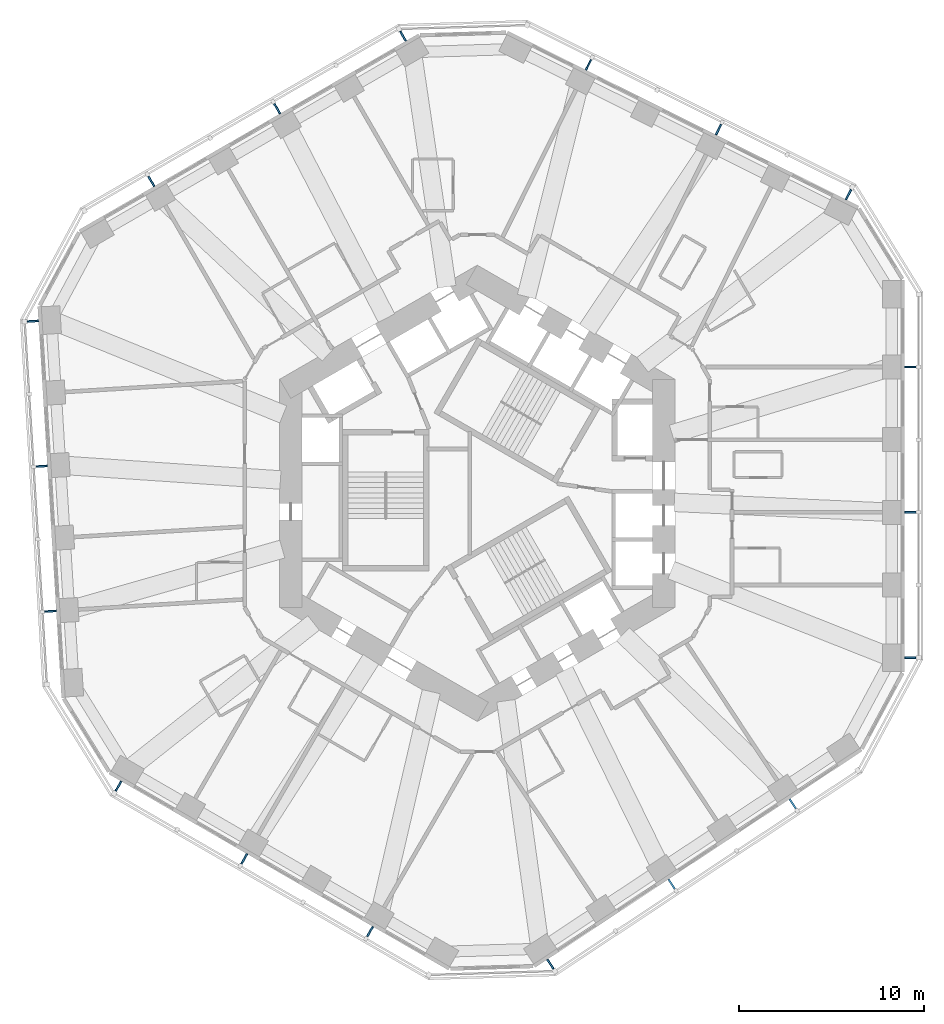
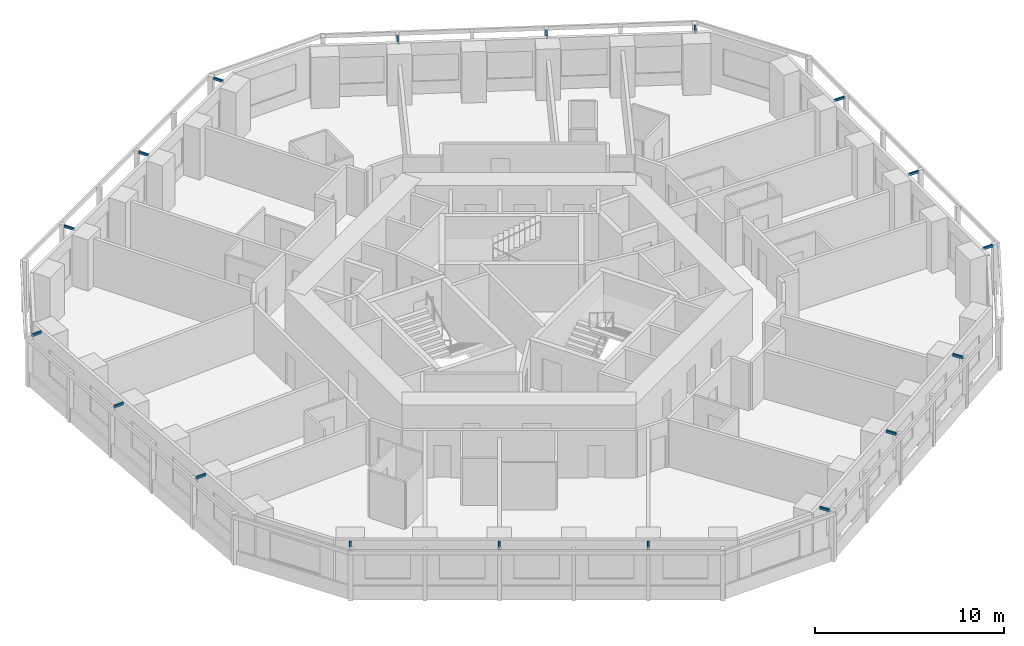
# One storey, part 11 of 12: 18 discrete accessories.
"""IFC4 building model written with IfcOpenShell, lengths in metres."""

from ifc_helpers import new_model, si_unit, direction, frame, origin, origin_2d, place, context, subcontext, project, spatial, rectangle, extrude, material, type_object, element, save


model = new_model("IFC4")

# Units and contexts
model_context = context("Model", 3, precision=1e-05, world=origin(), true_north=direction((0.0, 1.0)))
body_context = subcontext(model_context, "Body", "Model", "MODEL_VIEW")
ifc_project = project(units=[si_unit("LENGTHUNIT", "METRE"), si_unit("AREAUNIT", "SQUARE_METRE"), si_unit("VOLUMEUNIT", "CUBIC_METRE"), si_unit("PLANEANGLEUNIT", "RADIAN"), si_unit("MASSUNIT", "GRAM", prefix="KILO")], contexts=[model_context])

# Site, building, storey
site_placement = place(None, origin())
site = spatial("IfcSite", under=ifc_project, at=site_placement, CompositionType="ELEMENT")
building_placement = place(site_placement, origin())
building = spatial("IfcBuilding", under=site, at=building_placement, Name="Vanh Sen Convention Tower", CompositionType="ELEMENT")
storey_placement = place(building_placement, frame((0.0, 0.0, 47.300048828125)))
storey = spatial("IfcBuildingStorey", under=building, at=storey_placement, Name="L08", CompositionType="ELEMENT", Elevation=47.300048828125)

# Discrete accessories
ifc_material = material(Name="Steel S355", Category="steel")
discrete_accessory_type = type_object("IfcDiscreteAccessoryType", Name="Fin bracket 100 x 150", PredefinedType="BRACKET", material=ifc_material)
discrete_accessory_1_placement = place(storey_placement, frame((23.449951171875, -8.899169921875, 3.10009765625), z_axis=(0.0, 0.0, 1.0), x_axis=(1.0, 0.0, 0.0)))
element("IfcDiscreteAccessory", 1, at=discrete_accessory_1_placement, inside=storey, type_object=discrete_accessory_type, Name="Fin bracket E-1 L08", PredefinedType="BRACKET", context=body_context, shape_type="SweptSolid", body=[
    extrude(rectangle(XDim=0.60009765625, YDim=0.10009765625, at=origin_2d()), origin(), (0.0, 0.0, 1.0), 0.14990234375),
])
for number, where, z_axis, x_axis, name in (
    (2, (23.46240234375, -1.030029296875, 3.10009765625), (0.0, 0.0, 1.0), (1.0, 0.0, 0.0), "Fin bracket E-3 L08"),
    (3, (23.46240234375, 6.839111328125, 3.10009765625), (0.0, 0.0, 1.0), (1.0, 0.0, 0.0), "Fin bracket E-5 L08"),
):
    element("IfcDiscreteAccessory", number, at=place(storey_placement, frame(where, z_axis=z_axis, x_axis=x_axis)), inside=storey, type_object=discrete_accessory_type, Name=name, PredefinedType="BRACKET", context=body_context, shape_type="SweptSolid", body=[
        extrude(rectangle(XDim=0.625, YDim=0.10009765625, at=origin_2d()), origin(), (0.0, 0.0, 1.0), 0.14990234375),
    ])
discrete_accessory_2_placement = place(storey_placement, frame((20.10498046875, 16.178955078125, 3.10009765625), z_axis=(0.0, 0.0, 1.0), x_axis=(0.44619781311, 0.894934361602, 0.0)))
element("IfcDiscreteAccessory", 4, at=discrete_accessory_2_placement, inside=storey, type_object=discrete_accessory_type, Name="Fin bracket NE-1 L08", PredefinedType="BRACKET", context=body_context, shape_type="SweptSolid", body=[
    extrude(rectangle(XDim=0.60009765625, YDim=0.10009765625, at=origin_2d()), origin(), (0.0, 0.0, 1.0), 0.14990234375),
])
for number, where, z_axis, x_axis, name in (
    (5, (13.068359375, 19.701416015625, 3.10009765625), (0.0, 0.0, 1.0), (0.44619781311, 0.894934361602, 0.0), "Fin bracket NE-3 L08"),
    (6, (6.02587890625, 23.212646484375, 3.10009765625), (0.0, 0.0, 1.0), (0.44619781311, 0.894934361602, 0.0), "Fin bracket NE-5 L08"),
):
    element("IfcDiscreteAccessory", number, at=place(storey_placement, frame(where, z_axis=z_axis, x_axis=x_axis)), inside=storey, type_object=discrete_accessory_type, Name=name, PredefinedType="BRACKET", context=body_context, shape_type="SweptSolid", body=[
        extrude(rectangle(XDim=0.625, YDim=0.10009765625, at=origin_2d()), origin(), (0.0, 0.0, 1.0), 0.14990234375),
    ])
discrete_accessory_3_placement = place(storey_placement, frame((-4.01806640625, 24.7578125, 3.10009765625), z_axis=(0.0, 0.0, 1.0), x_axis=(-0.5, 0.866025403784, 0.0)))
element("IfcDiscreteAccessory", 7, at=discrete_accessory_3_placement, inside=storey, type_object=discrete_accessory_type, Name="Fin bracket NW-1 L08", PredefinedType="BRACKET", context=body_context, shape_type="SweptSolid", body=[
    extrude(rectangle(XDim=0.60009765625, YDim=0.10009765625, at=origin_2d()), origin(), (0.0, 0.0, 1.0), 0.14990234375),
])
for number, where, z_axis, x_axis, name in (
    (8, (-10.839111328125, 20.834228515625, 3.10009765625), (0.0, 0.0, 1.0), (-0.5, 0.866025403784, 0.0), "Fin bracket NW-3 L08"),
    (9, (-17.654296875, 16.899658203125, 3.10009765625), (0.0, 0.0, 1.0), (-0.5, 0.866025403784, 0.0), "Fin bracket NW-5 L08"),
):
    element("IfcDiscreteAccessory", number, at=place(storey_placement, frame(where, z_axis=z_axis, x_axis=x_axis)), inside=storey, type_object=discrete_accessory_type, Name=name, PredefinedType="BRACKET", context=body_context, shape_type="SweptSolid", body=[
        extrude(rectangle(XDim=0.625, YDim=0.10009765625, at=origin_2d()), origin(), (0.0, 0.0, 1.0), 0.14990234375),
    ])
discrete_accessory_4_placement = place(storey_placement, frame((-24.06396484375, 9.322021484375, 3.10009765625), z_axis=(0.0, 0.0, 1.0), x_axis=(-0.998134798422, -0.061048539535, 0.0)))
element("IfcDiscreteAccessory", 10, at=discrete_accessory_4_placement, inside=storey, type_object=discrete_accessory_type, Name="Fin bracket W-1 L08", PredefinedType="BRACKET", context=body_context, shape_type="SweptSolid", body=[
    extrude(rectangle(XDim=0.60009765625, YDim=0.10009765625, at=origin_2d()), origin(), (0.0, 0.0, 1.0), 0.14990234375),
])
for number, where, z_axis, x_axis, name in (
    (11, (-23.595947265625, 1.466796875, 3.10009765625), (0.0, 0.0, 1.0), (-0.998134798422, -0.061048539535, 0.0), "Fin bracket W-3 L08"),
    (12, (-23.115478515625, -6.3876953125, 3.10009765625), (0.0, 0.0, 1.0), (-0.998134798422, -0.061048539535, 0.0), "Fin bracket W-5 L08"),
):
    element("IfcDiscreteAccessory", number, at=place(storey_placement, frame(where, z_axis=z_axis, x_axis=x_axis)), inside=storey, type_object=discrete_accessory_type, Name=name, PredefinedType="BRACKET", context=body_context, shape_type="SweptSolid", body=[
        extrude(rectangle(XDim=0.625, YDim=0.10009765625, at=origin_2d()), origin(), (0.0, 0.0, 1.0), 0.14990234375),
    ])
discrete_accessory_5_placement = place(storey_placement, frame((-19.431884765625, -15.858642578125, 3.10009765625), z_axis=(0.0, 0.0, 1.0), x_axis=(-0.5, -0.866025403784, 0.0)))
element("IfcDiscreteAccessory", 13, at=discrete_accessory_5_placement, inside=storey, type_object=discrete_accessory_type, Name="Fin bracket SW-1 L08", PredefinedType="BRACKET", context=body_context, shape_type="SweptSolid", body=[
    extrude(rectangle(XDim=0.60009765625, YDim=0.10009765625, at=origin_2d()), origin(), (0.0, 0.0, 1.0), 0.14990234375),
])
for number, where, z_axis, x_axis, name in (
    (14, (-12.623291015625, -19.80419921875, 3.10009765625), (0.0, 0.0, 1.0), (-0.5, -0.866025403784, 0.0), "Fin bracket SW-3 L08"),
    (15, (-5.808349609375, -23.73876953125, 3.10009765625), (0.0, 0.0, 1.0), (-0.5, -0.866025403784, 0.0), "Fin bracket SW-5 L08"),
):
    element("IfcDiscreteAccessory", number, at=place(storey_placement, frame(where, z_axis=z_axis, x_axis=x_axis)), inside=storey, type_object=discrete_accessory_type, Name=name, PredefinedType="BRACKET", context=body_context, shape_type="SweptSolid", body=[
        extrude(rectangle(XDim=0.625, YDim=0.10009765625, at=origin_2d()), origin(), (0.0, 0.0, 1.0), 0.14990234375),
    ])
discrete_accessory_6_placement = place(storey_placement, frame((3.958740234375, -25.5009765625, 3.10009765625), z_axis=(0.0, 0.0, 1.0), x_axis=(0.551936985312, -0.833885822067, 0.0)))
element("IfcDiscreteAccessory", 16, at=discrete_accessory_6_placement, inside=storey, type_object=discrete_accessory_type, Name="Fin bracket SE-1 L08", PredefinedType="BRACKET", context=body_context, shape_type="SweptSolid", body=[
    extrude(rectangle(XDim=0.60009765625, YDim=0.10009765625, at=origin_2d()), origin(), (0.0, 0.0, 1.0), 0.14990234375),
])
for number, where, z_axis, x_axis, name in (
    (17, (10.527587890625, -21.168212890625, 3.10009765625), (0.0, 0.0, 1.0), (0.551936985312, -0.833885822067, 0.0), "Fin bracket SE-3 L08"),
    (18, (17.089599609375, -16.824951171875, 3.10009765625), (0.0, 0.0, 1.0), (0.551936985312, -0.833885822067, 0.0), "Fin bracket SE-5 L08"),
):
    element("IfcDiscreteAccessory", number, at=place(storey_placement, frame(where, z_axis=z_axis, x_axis=x_axis)), inside=storey, type_object=discrete_accessory_type, Name=name, PredefinedType="BRACKET", context=body_context, shape_type="SweptSolid", body=[
        extrude(rectangle(XDim=0.625, YDim=0.10009765625, at=origin_2d()), origin(), (0.0, 0.0, 1.0), 0.14990234375),
    ])

save(model, "model.ifc")
